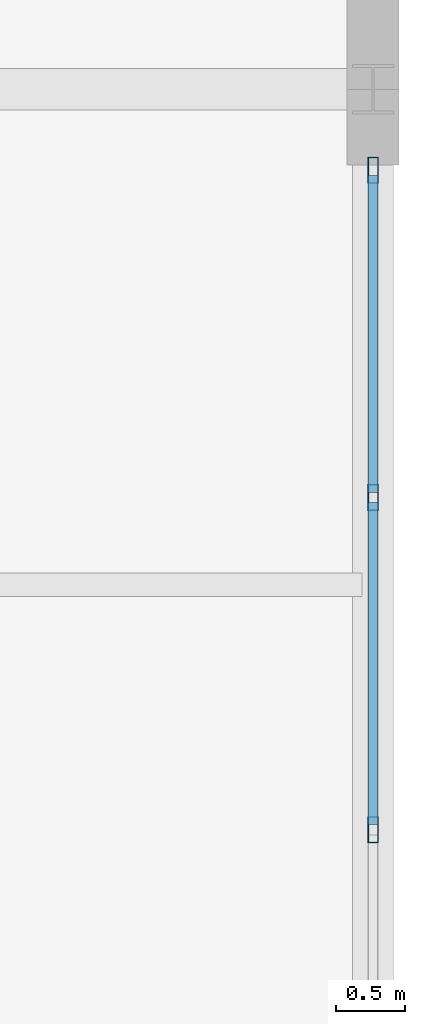
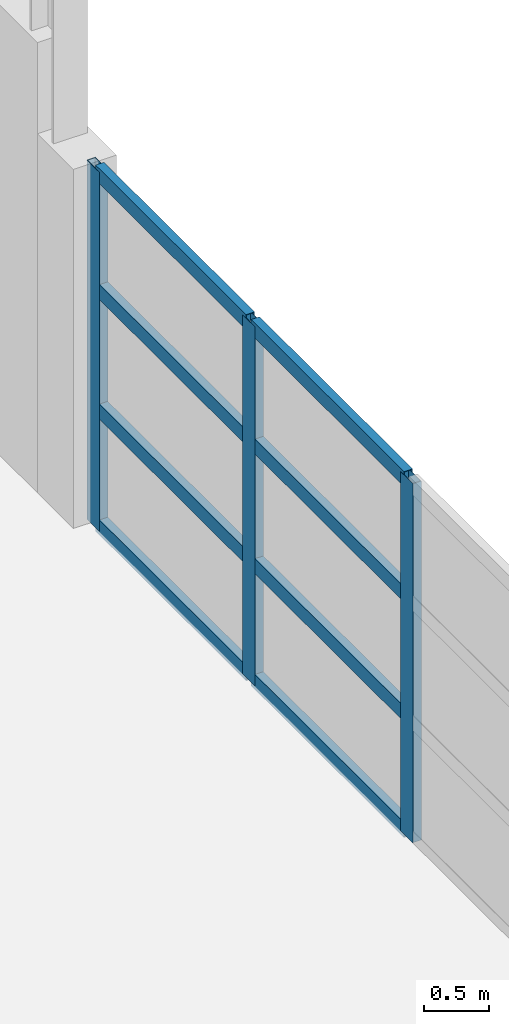
# One storey, part 42 of 86: 11 members, 1 element without a shape of its own.
"""IFC4 building model written with IfcOpenShell, lengths in metres."""

from ifc_helpers import new_model, si_unit, direction, frame, origin, origin_2d, place, context, subcontext, project, spatial, hollow_rectangle, extrude, material, layer, layer_set, material_profile, profile_set, type_object, element, aggregate, save


model = new_model("IFC4")

# Units and contexts
model_context = context("Model", 3, precision=1e-05, world=origin(), true_north=direction((0.0, 1.0)))
body_context = subcontext(model_context, "Body", "Model", "MODEL_VIEW")
ifc_project = project(units=[si_unit("LENGTHUNIT", "METRE"), si_unit("AREAUNIT", "SQUARE_METRE"), si_unit("VOLUMEUNIT", "CUBIC_METRE"), si_unit("PLANEANGLEUNIT", "RADIAN"), si_unit("MASSUNIT", "GRAM", prefix="KILO")], contexts=[model_context])

# Site, building, storey
site_placement = place(None, origin())
site = spatial("IfcSite", under=ifc_project, at=site_placement, CompositionType="ELEMENT")
building_placement = place(site_placement, origin())
building = spatial("IfcBuilding", under=site, at=building_placement, Name="Zilviju Railside Exhibition Hall", CompositionType="ELEMENT")
storey_placement = place(building_placement, frame((0.0, 0.0, 12.60009765625)))
storey = spatial("IfcBuildingStorey", under=building, at=storey_placement, Name="L04", CompositionType="ELEMENT", Elevation=12.60009765625)

# Curtain wall, members
ifc_material_1 = material(Name="Thermally broken aluminium-steel triple-glazed curtain wall", Category="steel")
ifc_layer = layer(ifc_material_1, 0.179931640625)
ifc_layer_set = layer_set([ifc_layer], Name="Thermally broken aluminium-steel triple-glazed curtain wall")
curtain_wall_type = type_object("IfcCurtainWallType", Name="CW-BAY-13", PredefinedType="USERDEFINED", material=ifc_layer_set)
curtain_wall_placement = place(storey_placement, origin())
curtain_wall = element("IfcCurtainWall", 1, at=curtain_wall_placement, inside=storey, type_object=curtain_wall_type, Name="North Hall East Glazed Gable L04 (84..102)", ObjectType="GLAZED CURTAIN WALL", PredefinedType="USERDEFINED")
ifc_material_2 = material(Name="Thermally broken anodized aluminium mullion", Category="aluminium")
ifc_material_profile_1 = material_profile(ifc_material_2, hollow_rectangle(XDim=0.074951171875, YDim=0.18994140625, WallThickness=0.0048828125, at=origin_2d()), Name="MULLION 190x75x5")
ifc_profile_set_1 = profile_set([ifc_material_profile_1], Name="Thermally broken anodized aluminium mullion")
member_type_1 = type_object("IfcMemberType", Name="CWM-75x190", PredefinedType="MULLION", material=ifc_profile_set_1)
member_1_placement = place(storey_placement, frame((216.0, 101.41259765625, 0.0), z_axis=(0.0, 0.0, 1.0), x_axis=(1.0, 0.0, 0.0)))
member_1 = element("IfcMember", 2, at=member_1_placement, type_object=member_type_1, Name="CW-13 mullion 1", PredefinedType="MULLION", context=body_context, shape_type="SweptSolid", body=[
    extrude(hollow_rectangle(XDim=0.074951171875, YDim=0.18994140625, WallThickness=0.0048828125, at=origin_2d()), origin(), (0.0, 0.0, 1.0), 3.349853515625),
])
member_2_placement = place(storey_placement, frame((216.0, 99.03564453125, 0.0), z_axis=(0.0, 0.0, 1.0), x_axis=(1.0, 0.0, 0.0)))
member_2 = element("IfcMember", 3, at=member_2_placement, type_object=member_type_1, Name="CW-13 mullion 2", PredefinedType="MULLION", context=body_context, shape_type="SweptSolid", body=[
    extrude(hollow_rectangle(XDim=0.074951171875, YDim=0.18994140625, WallThickness=0.0048828125, at=origin_2d()), origin(), (0.0, 0.0, 1.0), 3.349853515625),
])
member_3_placement = place(storey_placement, frame((216.0, 96.621337890625, 0.0), z_axis=(0.0, 0.0, 1.0), x_axis=(1.0, 0.0, 0.0)))
member_3 = element("IfcMember", 4, at=member_3_placement, type_object=member_type_1, Name="CW-13 mullion 3", PredefinedType="MULLION", context=body_context, shape_type="SweptSolid", body=[
    extrude(hollow_rectangle(XDim=0.074951171875, YDim=0.18994140625, WallThickness=0.0048828125, at=origin_2d()), origin(), (0.0, 0.0, 1.0), 3.349853515625),
])
ifc_material_3 = material(Name="Thermally broken anodized aluminium transom", Category="aluminium")
ifc_material_profile_2 = material_profile(ifc_material_3, hollow_rectangle(XDim=0.074951171875, YDim=0.139892578125, WallThickness=0.0048828125, at=origin_2d()), Name="TRANSOM 140x75x5")
ifc_profile_set_2 = profile_set([ifc_material_profile_2], Name="Thermally broken anodized aluminium transom")
member_type_2 = type_object("IfcMemberType", Name="CWT-75x140", PredefinedType="USERDEFINED", material=ifc_profile_set_2)
member_4_placement = place(storey_placement, frame((216.0, 101.375, 0.037353515625), z_axis=(0.0, -1.0, 0.0), x_axis=(1.0, 0.0, 0.0)))
member_4 = element("IfcMember", 5, at=member_4_placement, type_object=member_type_2, Name="CW-13 transom 1.1", ObjectType="TRANSOM", PredefinedType="USERDEFINED", context=body_context, shape_type="SweptSolid", body=[
    extrude(hollow_rectangle(XDim=0.074951171875, YDim=0.139892578125, WallThickness=0.0048828125, at=origin_2d()), origin(), (0.0, 0.0, 1.0), 2.3017578125),
])
member_5_placement = place(storey_placement, frame((216.0, 101.375, 1.116943359375), z_axis=(0.0, -1.0, 0.0), x_axis=(1.0, 0.0, 0.0)))
member_5 = element("IfcMember", 6, at=member_5_placement, type_object=member_type_2, Name="CW-13 transom 1.2", ObjectType="TRANSOM", PredefinedType="USERDEFINED", context=body_context, shape_type="SweptSolid", body=[
    extrude(hollow_rectangle(XDim=0.074951171875, YDim=0.139892578125, WallThickness=0.0048828125, at=origin_2d()), origin(), (0.0, 0.0, 1.0), 2.3017578125),
])
member_6_placement = place(storey_placement, frame((216.0, 101.375, 2.23291015625), z_axis=(0.0, -1.0, 0.0), x_axis=(1.0, 0.0, 0.0)))
member_6 = element("IfcMember", 7, at=member_6_placement, type_object=member_type_2, Name="CW-13 transom 1.3", ObjectType="TRANSOM", PredefinedType="USERDEFINED", context=body_context, shape_type="SweptSolid", body=[
    extrude(hollow_rectangle(XDim=0.074951171875, YDim=0.139892578125, WallThickness=0.0048828125, at=origin_2d()), origin(), (0.0, 0.0, 1.0), 2.3017578125),
])
member_7_placement = place(storey_placement, frame((216.0, 101.375, 3.3125), z_axis=(0.0, -1.0, 0.0), x_axis=(1.0, 0.0, 0.0)))
member_7 = element("IfcMember", 8, at=member_7_placement, type_object=member_type_2, Name="CW-13 transom 1.4", ObjectType="TRANSOM", PredefinedType="USERDEFINED", context=body_context, shape_type="SweptSolid", body=[
    extrude(hollow_rectangle(XDim=0.074951171875, YDim=0.139892578125, WallThickness=0.0048828125, at=origin_2d()), origin(), (0.0, 0.0, 1.0), 2.3017578125),
])
member_8_placement = place(storey_placement, frame((216.0, 98.998291015625, 0.037353515625), z_axis=(0.0, -1.0, 0.0), x_axis=(1.0, 0.0, 0.0)))
member_8 = element("IfcMember", 9, at=member_8_placement, type_object=member_type_2, Name="CW-13 transom 2.1", ObjectType="TRANSOM", PredefinedType="USERDEFINED", context=body_context, shape_type="SweptSolid", body=[
    extrude(hollow_rectangle(XDim=0.074951171875, YDim=0.139892578125, WallThickness=0.0048828125, at=origin_2d()), origin(), (0.0, 0.0, 1.0), 2.33935546875),
])
member_9_placement = place(storey_placement, frame((216.0, 98.998291015625, 1.116943359375), z_axis=(0.0, -1.0, 0.0), x_axis=(1.0, 0.0, 0.0)))
member_9 = element("IfcMember", 10, at=member_9_placement, type_object=member_type_2, Name="CW-13 transom 2.2", ObjectType="TRANSOM", PredefinedType="USERDEFINED", context=body_context, shape_type="SweptSolid", body=[
    extrude(hollow_rectangle(XDim=0.074951171875, YDim=0.139892578125, WallThickness=0.0048828125, at=origin_2d()), origin(), (0.0, 0.0, 1.0), 2.33935546875),
])
member_10_placement = place(storey_placement, frame((216.0, 98.998291015625, 2.23291015625), z_axis=(0.0, -1.0, 0.0), x_axis=(1.0, 0.0, 0.0)))
member_10 = element("IfcMember", 11, at=member_10_placement, type_object=member_type_2, Name="CW-13 transom 2.3", ObjectType="TRANSOM", PredefinedType="USERDEFINED", context=body_context, shape_type="SweptSolid", body=[
    extrude(hollow_rectangle(XDim=0.074951171875, YDim=0.139892578125, WallThickness=0.0048828125, at=origin_2d()), origin(), (0.0, 0.0, 1.0), 2.33935546875),
])
member_11_placement = place(storey_placement, frame((216.0, 98.998291015625, 3.3125), z_axis=(0.0, -1.0, 0.0), x_axis=(1.0, 0.0, 0.0)))
member_11 = element("IfcMember", 12, at=member_11_placement, type_object=member_type_2, Name="CW-13 transom 2.4", ObjectType="TRANSOM", PredefinedType="USERDEFINED", context=body_context, shape_type="SweptSolid", body=[
    extrude(hollow_rectangle(XDim=0.074951171875, YDim=0.139892578125, WallThickness=0.0048828125, at=origin_2d()), origin(), (0.0, 0.0, 1.0), 2.33935546875),
])
aggregate(curtain_wall, [member_1, member_2, member_3, member_4, member_5, member_6, member_7, member_8, member_9, member_10, member_11])

save(model, "model.ifc")
